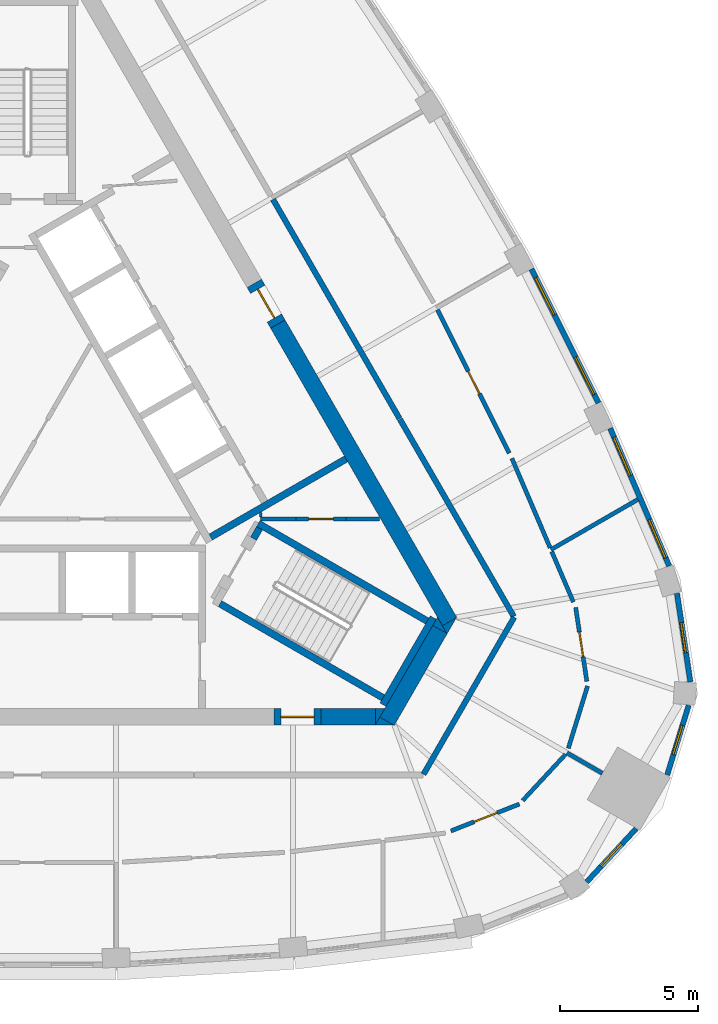
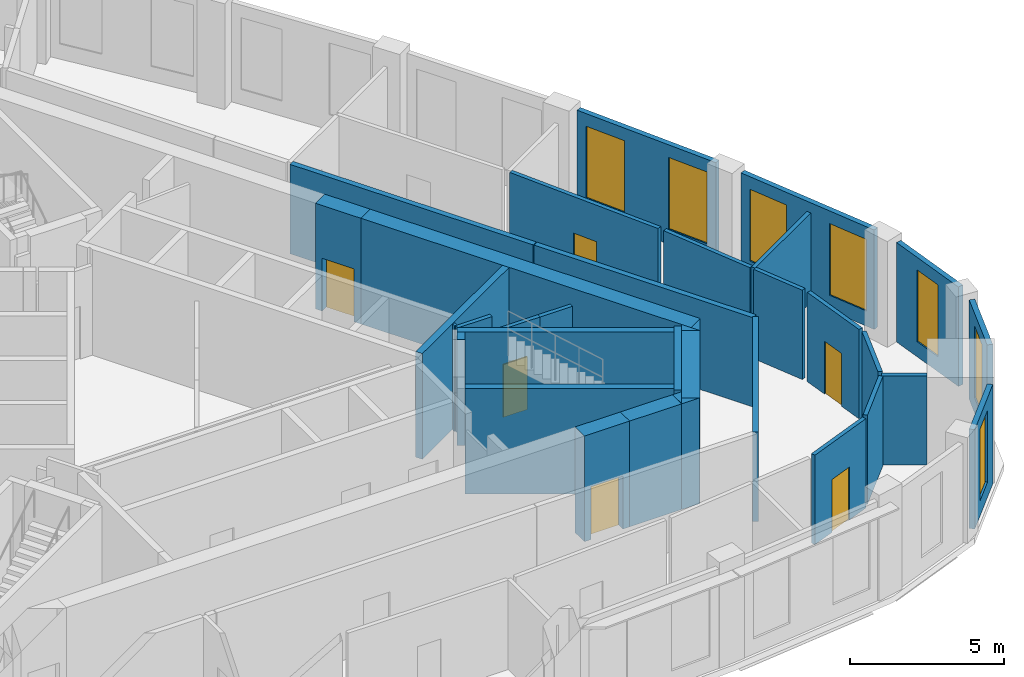
# One storey, part 7 of 10: 35 walls, 7 windows, 6 doors, 13 openings.
"""IFC4 building model written with IfcOpenShell, lengths in metres."""

from ifc_helpers import new_model, si_unit, direction, frame, frame_2d, origin, place, context, subcontext, project, spatial, polyline, rectangle, outline, extrude, material, layer, layer_set, type_object, element, fill, save


model = new_model("IFC4")

# Units and contexts
model_context = context("Model", 3, precision=1e-05, world=origin(), true_north=direction((0.0, 1.0)))
body_context = subcontext(model_context, "Body", "Model", "MODEL_VIEW")
ifc_project = project(units=[si_unit("LENGTHUNIT", "METRE"), si_unit("AREAUNIT", "SQUARE_METRE"), si_unit("VOLUMEUNIT", "CUBIC_METRE"), si_unit("PLANEANGLEUNIT", "RADIAN"), si_unit("MASSUNIT", "GRAM", prefix="KILO")], contexts=[model_context])

# Site, building, storey
site_placement = place(None, origin())
site = spatial("IfcSite", under=ifc_project, at=site_placement, CompositionType="ELEMENT")
building_placement = place(site_placement, origin())
building = spatial("IfcBuilding", under=site, at=building_placement, Name="Mestral Congress Tower", CompositionType="ELEMENT")
storey_placement = place(building_placement, frame((0.0, 0.0, 283.800048828125)))
storey = spatial("IfcBuildingStorey", under=building, at=storey_placement, Name="L66", CompositionType="ELEMENT", Elevation=283.800048828125)

# Wall
ifc_material_1 = material(Name="Fire-rated board partition")
ifc_layer_1 = layer(ifc_material_1, 0.14990234375)
ifc_layer_set_1 = layer_set([ifc_layer_1], Name="Fire-rated board partition")
wall_type_1 = type_object("IfcWallType", Name="Core partition 150", PredefinedType="PARTITIONING", material=ifc_layer_set_1)
wall_1_placement = place(storey_placement, frame((11.50048828125, -2.800537109375, 0.0), z_axis=(0.0, 0.0, 1.0), x_axis=(1.0, 0.0, 0.0)))
element("IfcWall", 1, at=wall_1_placement, inside=storey, type_object=wall_type_1, Name="L66 core wall", PredefinedType="PARTITIONING", context=body_context, shape_type="SweptSolid", body=[
    extrude(rectangle(XDim=1.22216796875, YDim=0.14990234375, at=frame_2d((0.611083984375, 0.0))), origin(), (0.0, 0.0, 1.0), 3.550048828125),
])

# Wall, opening, door
wall_2_placement = place(storey_placement, frame((9.7001953125, -2.800048828125, 0.0), z_axis=(0.0, 0.0, 1.0), x_axis=(1.0, 0.0, 0.0)))
wall_2 = element("IfcWall", 2, at=wall_2_placement, inside=storey, type_object=wall_type_1, Name="L66 door wall", PredefinedType="PARTITIONING", context=body_context, shape_type="SweptSolid", body=[
    extrude(rectangle(XDim=1.800048828125, YDim=0.14990234375, at=frame_2d((0.89990234375, 0.0))), origin(), (0.0, 0.0, 1.0), 3.550048828125),
])
opening_1_placement = place(wall_2_placement, frame((0.449951171875, 0.0, 0.0)))
opening_1 = element("IfcOpeningElement", 3, at=opening_1_placement, cuts=wall_2, Name="Opening SD-PX10", PredefinedType="OPENING", context=body_context, shape_type="SweptSolid", body=[
    extrude(rectangle(XDim=0.89990234375, YDim=2.10009765625, at=frame_2d((0.449951171875, 1.050048828125))), frame((0.0, 0.0849609375, 0.0), z_axis=(0.0, -1.0, 0.0), x_axis=(1.0, 0.0, 0.0)), (0.0, 0.0, 1.0), 0.169921875),
])
ifc_material_2 = material(Name="Fire-rated steel door set", Category="steel")
door_type_1 = type_object("IfcDoorType", Name="Core door SR 900x2100", OperationType="SINGLE_SWING_LEFT", PredefinedType="DOOR", material=ifc_material_2)
door_1_placement = place(opening_1_placement, origin())
door_1 = element("IfcDoor", 4, at=door_1_placement, inside=storey, type_object=door_type_1, Name="Door SD-PX10", OperationType="SINGLE_SWING_LEFT", OverallHeight=2.10009765625, OverallWidth=0.89990234375, PredefinedType="DOOR", context=body_context, shape_type="SweptSolid", body=[
    extrude(rectangle(XDim=0.89990234375, YDim=2.10009765625, at=frame_2d((0.449951171875, 1.050048828125))), frame((0.0, 0.02490234375, 0.0), z_axis=(0.0, -1.0, 0.0), x_axis=(1.0, 0.0, 0.0)), (0.0, 0.0, 1.0), 0.050048828125),
])
fill(opening_1, door_1)

# Walls
ifc_material_3 = material(Name="Concrete C60/75", Category="concrete")
ifc_layer_2 = layer(ifc_material_3, 0.60009765625)
ifc_layer_set_2 = layer_set([ifc_layer_2], Name="Concrete C60/75")
wall_type_2 = type_object("IfcWallType", Name="Core wall RC 600", PredefinedType="SOLIDWALL", material=ifc_layer_set_2)
wall_3_placement = place(storey_placement, frame((9.0419921875, 4.23876953125, 0.0), z_axis=(0.0, 0.0, 1.0), x_axis=(0.500005785455, -0.866022063525, 0.0)))
element("IfcWall", 5, at=wall_3_placement, inside=storey, type_object=wall_type_2, Name="L66 core wall", PredefinedType="SOLIDWALL", context=body_context, shape_type="SweptSolid", body=[
    extrude(rectangle(XDim=12.406494140625, YDim=0.60009765625, at=frame_2d((6.203125, 0.0))), origin(), (0.0, 0.0, 1.0), 4.199951171875),
])
placement = place(storey_placement, origin())
element("IfcWall", 6, at=placement, inside=storey, type_object=wall_type_2, Name="L66 core wall", PredefinedType="SOLIDWALL", context=body_context, shape_type="SweptSolid", body=[
    extrude(outline(polyline([(15.155517578125, -6.949951171875), (14.986572265625, -6.6572265625), (15.493408203125, -6.364501953125), (15.155517578125, -6.949951171875)])), origin(), (0.0, 0.0, 1.0), 4.199951171875),
])
wall_5_placement = place(storey_placement, frame((12.9873046875, -10.105712890625, 0.0), z_axis=(0.0, 0.0, 1.0), x_axis=(0.499950938802, 0.866053727428, 0.0)))
element("IfcWall", 7, at=wall_5_placement, inside=storey, type_object=wall_type_2, Name="L66 core wall", PredefinedType="SOLIDWALL", context=body_context, shape_type="SweptSolid", body=[
    extrude(rectangle(XDim=3.8232421875, YDim=0.60009765625, at=frame_2d((1.91162109375, 0.0))), origin(), (0.0, 0.0, 1.0), 4.199951171875),
])
element("IfcWall", 8, at=placement, inside=storey, type_object=wall_type_2, Name="L66 core wall", PredefinedType="SOLIDWALL", context=body_context, shape_type="SweptSolid", body=[
    extrude(outline(polyline([(12.726318359375, -9.957275390625), (13.2333984375, -10.25), (12.557373046875, -10.25), (12.726318359375, -9.957275390625)])), origin(), (0.0, 0.0, 1.0), 4.199951171875),
])
element("IfcWall", 9, at=placement, inside=storey, type_object=wall_type_2, Name="L66 core wall", PredefinedType="SOLIDWALL", context=body_context, shape_type="SweptSolid", body=[
    extrude(outline(polyline([(14.80908203125, -6.35009765625), (15.147216796875, -6.935791015625), (14.639892578125, -6.642822265625), (14.80908203125, -6.35009765625)])), origin(), (0.0, 0.0, 1.0), 4.199951171875),
])
wall_8_placement = place(storey_placement, frame((10.6044921875, -9.949951171875, 0.0), z_axis=(0.0, 0.0, 1.0), x_axis=(1.0, 0.0, 0.0)))
element("IfcWall", 10, at=wall_8_placement, inside=storey, type_object=wall_type_2, Name="L66 core wall", PredefinedType="SOLIDWALL", context=body_context, shape_type="SweptSolid", body=[
    extrude(rectangle(XDim=1.959228515625, YDim=0.60009765625, at=frame_2d((0.9794921875, 0.0))), origin(), (0.0, 0.0, 1.0), 4.199951171875),
])
element("IfcWall", 11, at=placement, inside=storey, type_object=wall_type_2, Name="L66 core wall", PredefinedType="SOLIDWALL", context=body_context, shape_type="SweptSolid", body=[
    extrude(outline(polyline([(12.90380859375, -9.64990234375), (12.56591796875, -10.235595703125), (12.56591796875, -9.64990234375), (12.90380859375, -9.64990234375)])), origin(), (0.0, 0.0, 1.0), 4.199951171875),
])

# Wall, opening, door
wall_10_placement = place(storey_placement, frame((10.6044921875, -9.949951171875, 0.0), z_axis=(0.0, 0.0, 1.0), x_axis=(-1.0, 0.0, 0.0)))
wall_10 = element("IfcWall", 12, at=wall_10_placement, inside=storey, type_object=wall_type_2, Name="L66 door wall", PredefinedType="SOLIDWALL", context=body_context, shape_type="SweptSolid", body=[
    extrude(rectangle(XDim=1.699951171875, YDim=0.60009765625, at=frame_2d((0.85009765625, 0.0))), origin(), (0.0, 0.0, 1.0), 4.199951171875),
])
opening_2_placement = place(wall_10_placement, frame((0.25, 0.0, 0.0)))
opening_2 = element("IfcOpeningElement", 13, at=opening_2_placement, cuts=wall_10, Name="Opening XD1", PredefinedType="OPENING", context=body_context, shape_type="SweptSolid", body=[
    extrude(rectangle(XDim=1.199951171875, YDim=2.10009765625, at=frame_2d((0.60009765625, 1.050048828125))), frame((0.0, 0.31005859375, 0.0), z_axis=(0.0, -1.0, 0.0), x_axis=(1.0, 0.0, 0.0)), (0.0, 0.0, 1.0), 0.6201171875),
])
door_type_2 = type_object("IfcDoorType", Name="Core door XD 1200x2100", OperationType="SINGLE_SWING_LEFT", PredefinedType="DOOR", material=ifc_material_2)
door_2_placement = place(opening_2_placement, origin())
door_2 = element("IfcDoor", 14, at=door_2_placement, inside=storey, type_object=door_type_2, Name="Door XD1", OperationType="SINGLE_SWING_LEFT", OverallHeight=2.10009765625, OverallWidth=1.199951171875, PredefinedType="DOOR", context=body_context, shape_type="SweptSolid", body=[
    extrude(rectangle(XDim=1.199951171875, YDim=2.10009765625, at=frame_2d((0.60009765625, 1.050048828125))), frame((0.0, 0.02490234375, 0.0), z_axis=(0.0, -1.0, 0.0), x_axis=(1.0, 0.0, 0.0)), (0.0, 0.0, 1.0), 0.050048828125),
])
fill(opening_2, door_2)

wall_11_placement = place(storey_placement, frame((8.19189453125, 5.711181640625, 0.0), z_axis=(0.0, 0.0, 1.0), x_axis=(0.500062241894, -0.865989465428, 0.0)))
wall_11 = element("IfcWall", 15, at=wall_11_placement, inside=storey, type_object=wall_type_2, Name="L66 door wall", PredefinedType="SOLIDWALL", context=body_context, shape_type="SweptSolid", body=[
    extrude(rectangle(XDim=1.699951171875, YDim=0.60009765625, at=frame_2d((0.85009765625, 0.0))), origin(), (0.0, 0.0, 1.0), 4.199951171875),
])
opening_3_placement = place(wall_11_placement, frame((0.25, 0.0, 0.0)))
opening_3 = element("IfcOpeningElement", 16, at=opening_3_placement, cuts=wall_11, Name="Opening XDL", PredefinedType="OPENING", context=body_context, shape_type="SweptSolid", body=[
    extrude(rectangle(XDim=1.199951171875, YDim=2.10009765625, at=frame_2d((0.60009765625, 1.050048828125))), frame((0.0, 0.31005859375, 0.0), z_axis=(0.0, -1.0, 0.0), x_axis=(1.0, 0.0, 0.0)), (0.0, 0.0, 1.0), 0.6201171875),
])
door_3_placement = place(opening_3_placement, origin())
door_3 = element("IfcDoor", 17, at=door_3_placement, inside=storey, type_object=door_type_2, Name="Door XDL", OperationType="SINGLE_SWING_LEFT", OverallHeight=2.10009765625, OverallWidth=1.199951171875, PredefinedType="DOOR", context=body_context, shape_type="SweptSolid", body=[
    extrude(rectangle(XDim=1.199951171875, YDim=2.10009765625, at=frame_2d((0.60009765625, 1.050048828125))), frame((0.0, 0.02490234375, 0.0), z_axis=(0.0, -1.0, 0.0), x_axis=(1.0, 0.0, 0.0)), (0.0, 0.0, 1.0), 0.050048828125),
])
fill(opening_3, door_3)

# Wall, opening, window
ifc_material_4 = material(Name="Precast concrete C40/50 with limestone facing", Category="masonry")
ifc_layer_3 = layer(ifc_material_4, 0.18994140625)
ifc_layer_set_3 = layer_set([ifc_layer_3], Name="Precast concrete C40/50 with limestone facing")
wall_type_3 = type_object("IfcWallType", Name="Facade stone wall 190", PredefinedType="SOLIDWALL", material=ifc_layer_set_3)
wall_12_placement = place(storey_placement, frame((20.197998046875, -15.91357421875, 0.0), z_axis=(0.0, 0.0, 1.0), x_axis=(0.680219354823, 0.733008614768, 0.0)))
wall_12 = element("IfcWall", 18, at=wall_12_placement, inside=storey, type_object=wall_type_3, Name="Facade wall K0-1", PredefinedType="SOLIDWALL", context=body_context, shape_type="SweptSolid", body=[
    extrude(rectangle(XDim=2.626953125, YDim=0.18994140625, at=frame_2d((1.3134765625, 0.0))), origin(), (0.0, 0.0, 1.0), 3.949951171875),
])
opening_4_placement = place(wall_12_placement, frame((0.763427734375, 0.0, 0.60009765625)))
opening_4 = element("IfcOpeningElement", 19, at=opening_4_placement, cuts=wall_12, Name="Opening W7", PredefinedType="OPENING", context=body_context, shape_type="SweptSolid", body=[
    extrude(rectangle(XDim=1.10009765625, YDim=2.85009765625, at=frame_2d((0.550048828125, 1.425048828125))), frame((0.0, 0.10498046875, 0.0), z_axis=(0.0, -1.0, 0.0), x_axis=(1.0, 0.0, 0.0)), (0.0, 0.0, 1.0), 0.2099609375),
])
ifc_material_5 = material(Name="Clear low-emissivity double glazing", Category="glass")
window_type_1 = type_object("IfcWindowType", Name="Facade punched window 1100 x 2850 sill 600", PartitioningType="SINGLE_PANEL", PredefinedType="WINDOW", material=ifc_material_5)
window_1_placement = place(opening_4_placement, origin())
window_1 = element("IfcWindow", 20, at=window_1_placement, inside=storey, type_object=window_type_1, Name="Window K0-1", OverallHeight=2.85009765625, OverallWidth=1.10009765625, PartitioningType="SINGLE_PANEL", PredefinedType="WINDOW", context=body_context, shape_type="SweptSolid", body=[
    extrude(rectangle(XDim=1.10009765625, YDim=2.85009765625, at=frame_2d((0.550048828125, 1.425048828125))), frame((0.0, 0.044921875, 0.0), z_axis=(0.0, -1.0, 0.0), x_axis=(1.0, 0.0, 0.0)), (0.0, 0.0, 1.0), 0.06005859375),
])
fill(opening_4, window_1)

wall_13_placement = place(storey_placement, frame((23.1064453125, -12.04541015625, 0.0), z_axis=(0.0, 0.0, 1.0), x_axis=(0.294706210429, 0.9555879078, 0.0)))
wall_13 = element("IfcWall", 21, at=wall_13_placement, inside=storey, type_object=wall_type_3, Name="Facade wall K0-2", PredefinedType="SOLIDWALL", context=body_context, shape_type="SweptSolid", body=[
    extrude(rectangle(XDim=2.626953125, YDim=0.18994140625, at=frame_2d((1.3134765625, 0.0))), origin(), (0.0, 0.0, 1.0), 3.949951171875),
])
opening_5_placement = place(wall_13_placement, frame((0.763427734375, 0.0, 0.60009765625)))
opening_5 = element("IfcOpeningElement", 22, at=opening_5_placement, cuts=wall_13, Name="Opening W7", PredefinedType="OPENING", context=body_context, shape_type="SweptSolid", body=[
    extrude(rectangle(XDim=1.10009765625, YDim=2.85009765625, at=frame_2d((0.550048828125, 1.425048828125))), frame((0.0, 0.10498046875, 0.0), z_axis=(0.0, -1.0, 0.0), x_axis=(1.0, 0.0, 0.0)), (0.0, 0.0, 1.0), 0.2099609375),
])
window_2_placement = place(opening_5_placement, origin())
window_2 = element("IfcWindow", 23, at=window_2_placement, inside=storey, type_object=window_type_1, Name="Window K0-2", OverallHeight=2.85009765625, OverallWidth=1.10009765625, PartitioningType="SINGLE_PANEL", PredefinedType="WINDOW", context=body_context, shape_type="SweptSolid", body=[
    extrude(rectangle(XDim=1.10009765625, YDim=2.85009765625, at=frame_2d((0.550048828125, 1.425048828125))), frame((0.0, 0.044921875, 0.0), z_axis=(0.0, -1.0, 0.0), x_axis=(1.0, 0.0, 0.0)), (0.0, 0.0, 1.0), 0.06005859375),
])
fill(opening_5, window_2)

wall_14_placement = place(storey_placement, frame((23.94384765625, -8.6884765625, 0.0), z_axis=(0.0, 0.0, 1.0), x_axis=(-0.149421055602, 0.988773658702, 0.0)))
wall_14 = element("IfcWall", 24, at=wall_14_placement, inside=storey, type_object=wall_type_3, Name="Facade wall K0-3", PredefinedType="SOLIDWALL", context=body_context, shape_type="SweptSolid", body=[
    extrude(rectangle(XDim=3.23681640625, YDim=0.18994140625, at=frame_2d((1.618408203125, 0.0))), origin(), (0.0, 0.0, 1.0), 3.949951171875),
])
opening_6_placement = place(wall_14_placement, frame((1.068359375, 0.0, 0.60009765625)))
opening_6 = element("IfcOpeningElement", 25, at=opening_6_placement, cuts=wall_14, Name="Opening W7", PredefinedType="OPENING", context=body_context, shape_type="SweptSolid", body=[
    extrude(rectangle(XDim=1.10009765625, YDim=2.85009765625, at=frame_2d((0.550048828125, 1.425048828125))), frame((0.0, 0.10498046875, 0.0), z_axis=(0.0, -1.0, 0.0), x_axis=(1.0, 0.0, 0.0)), (0.0, 0.0, 1.0), 0.2099609375),
])
window_3_placement = place(opening_6_placement, origin())
window_3 = element("IfcWindow", 26, at=window_3_placement, inside=storey, type_object=window_type_1, Name="Window K0-3", OverallHeight=2.85009765625, OverallWidth=1.10009765625, PartitioningType="SINGLE_PANEL", PredefinedType="WINDOW", context=body_context, shape_type="SweptSolid", body=[
    extrude(rectangle(XDim=1.10009765625, YDim=2.85009765625, at=frame_2d((0.550048828125, 1.425048828125))), frame((0.0, 0.044921875, 0.0), z_axis=(0.0, -1.0, 0.0), x_axis=(1.0, 0.0, 0.0)), (0.0, 0.0, 1.0), 0.06005859375),
])
fill(opening_6, window_3)

# Wall, openings, windows
wall_15_placement = place(storey_placement, frame((23.1787109375, -4.50048828125, 0.0), z_axis=(0.0, 0.0, 1.0), x_axis=(-0.393347848476, 0.919389726992, 0.0)))
wall_15 = element("IfcWall", 27, at=wall_15_placement, inside=storey, type_object=wall_type_3, Name="Facade wall F1-00", PredefinedType="SOLIDWALL", context=body_context, shape_type="SweptSolid", body=[
    extrude(rectangle(XDim=5.414794921875, YDim=0.18994140625, at=frame_2d((2.70751953125, 0.0))), origin(), (0.0, 0.0, 1.0), 3.949951171875),
])
opening_7_placement = place(wall_15_placement, frame((0.322509765625, 0.0, 0.60009765625)))
opening_7 = element("IfcOpeningElement", 28, at=opening_7_placement, cuts=wall_15, Name="Opening W6", PredefinedType="OPENING", context=body_context, shape_type="SweptSolid", body=[
    extrude(rectangle(XDim=1.5, YDim=2.85009765625, at=frame_2d((0.75, 1.425048828125))), frame((0.0, 0.10498046875, 0.0), z_axis=(0.0, -1.0, 0.0), x_axis=(1.0, 0.0, 0.0)), (0.0, 0.0, 1.0), 0.2099609375),
])
opening_8_placement = place(wall_15_placement, frame((3.5576171875, 0.0, 0.60009765625)))
opening_8 = element("IfcOpeningElement", 29, at=opening_8_placement, cuts=wall_15, Name="Opening W6", PredefinedType="OPENING", context=body_context, shape_type="SweptSolid", body=[
    extrude(rectangle(XDim=1.5, YDim=2.85009765625, at=frame_2d((0.75, 1.425048828125))), frame((0.0, 0.10498046875, 0.0), z_axis=(0.0, -1.0, 0.0), x_axis=(1.0, 0.0, 0.0)), (0.0, 0.0, 1.0), 0.2099609375),
])
window_type_2 = type_object("IfcWindowType", Name="Facade punched window 1500 x 2850 sill 600", PartitioningType="SINGLE_PANEL", PredefinedType="WINDOW", material=ifc_material_5)
window_4_placement = place(opening_7_placement, origin())
window_4 = element("IfcWindow", 30, at=window_4_placement, inside=storey, type_object=window_type_2, Name="Window F1-00a", OverallHeight=2.85009765625, OverallWidth=1.5, PartitioningType="SINGLE_PANEL", PredefinedType="WINDOW", context=body_context, shape_type="SweptSolid", body=[
    extrude(rectangle(XDim=1.5, YDim=2.85009765625, at=frame_2d((0.75, 1.425048828125))), frame((0.0, 0.044921875, 0.0), z_axis=(0.0, -1.0, 0.0), x_axis=(1.0, 0.0, 0.0)), (0.0, 0.0, 1.0), 0.06005859375),
])
fill(opening_7, window_4)
window_5_placement = place(opening_8_placement, origin())
window_5 = element("IfcWindow", 31, at=window_5_placement, inside=storey, type_object=window_type_2, Name="Window F1-00b", OverallHeight=2.85009765625, OverallWidth=1.5, PartitioningType="SINGLE_PANEL", PredefinedType="WINDOW", context=body_context, shape_type="SweptSolid", body=[
    extrude(rectangle(XDim=1.5, YDim=2.85009765625, at=frame_2d((0.75, 1.425048828125))), frame((0.0, 0.044921875, 0.0), z_axis=(0.0, -1.0, 0.0), x_axis=(1.0, 0.0, 0.0)), (0.0, 0.0, 1.0), 0.06005859375),
])
fill(opening_8, window_5)

wall_16_placement = place(storey_placement, frame((20.625, 1.39208984375, 0.0), z_axis=(0.0, 0.0, 1.0), x_axis=(-0.447484531401, 0.894291671747, 0.0)))
wall_16 = element("IfcWall", 32, at=wall_16_placement, inside=storey, type_object=wall_type_3, Name="Facade wall F1-01", PredefinedType="SOLIDWALL", context=body_context, shape_type="SweptSolid", body=[
    extrude(rectangle(XDim=5.40625, YDim=0.18994140625, at=frame_2d((2.703125, 0.0))), origin(), (0.0, 0.0, 1.0), 3.949951171875),
])
opening_9_placement = place(wall_16_placement, frame((0.346435546875, 0.0, 0.60009765625)))
opening_9 = element("IfcOpeningElement", 33, at=opening_9_placement, cuts=wall_16, Name="Opening W6", PredefinedType="OPENING", context=body_context, shape_type="SweptSolid", body=[
    extrude(rectangle(XDim=1.5, YDim=2.85009765625, at=frame_2d((0.75, 1.425048828125))), frame((0.0, 0.10498046875, 0.0), z_axis=(0.0, -1.0, 0.0), x_axis=(1.0, 0.0, 0.0)), (0.0, 0.0, 1.0), 0.2099609375),
])
opening_10_placement = place(wall_16_placement, frame((3.559326171875, 0.0, 0.60009765625)))
opening_10 = element("IfcOpeningElement", 34, at=opening_10_placement, cuts=wall_16, Name="Opening W6", PredefinedType="OPENING", context=body_context, shape_type="SweptSolid", body=[
    extrude(rectangle(XDim=1.5, YDim=2.85009765625, at=frame_2d((0.75, 1.425048828125))), frame((0.0, 0.10498046875, 0.0), z_axis=(0.0, -1.0, 0.0), x_axis=(1.0, 0.0, 0.0)), (0.0, 0.0, 1.0), 0.2099609375),
])
window_6_placement = place(opening_9_placement, origin())
window_6 = element("IfcWindow", 35, at=window_6_placement, inside=storey, type_object=window_type_2, Name="Window F1-01a", OverallHeight=2.85009765625, OverallWidth=1.5, PartitioningType="SINGLE_PANEL", PredefinedType="WINDOW", context=body_context, shape_type="SweptSolid", body=[
    extrude(rectangle(XDim=1.5, YDim=2.85009765625, at=frame_2d((0.75, 1.425048828125))), frame((0.0, 0.044921875, 0.0), z_axis=(0.0, -1.0, 0.0), x_axis=(1.0, 0.0, 0.0)), (0.0, 0.0, 1.0), 0.06005859375),
])
fill(opening_9, window_6)
window_7_placement = place(opening_10_placement, origin())
window_7 = element("IfcWindow", 36, at=window_7_placement, inside=storey, type_object=window_type_2, Name="Window F1-01b", OverallHeight=2.85009765625, OverallWidth=1.5, PartitioningType="SINGLE_PANEL", PredefinedType="WINDOW", context=body_context, shape_type="SweptSolid", body=[
    extrude(rectangle(XDim=1.5, YDim=2.85009765625, at=frame_2d((0.75, 1.425048828125))), frame((0.0, 0.044921875, 0.0), z_axis=(0.0, -1.0, 0.0), x_axis=(1.0, 0.0, 0.0)), (0.0, 0.0, 1.0), 0.06005859375),
])
fill(opening_10, window_7)

# Wall
ifc_material_6 = material(Name="Plasterboard partition on steel studs", Category="steel")
ifc_layer_4 = layer(ifc_material_6, 0.14990234375)
ifc_layer_set_4 = layer_set([ifc_layer_4], Name="Plasterboard partition on steel studs")
wall_type_4 = type_object("IfcWallType", Name="Office partition 150", PredefinedType="PARTITIONING", material=ifc_layer_set_4)
wall_17_placement = place(storey_placement, frame((19.485107421875, -11.249755859375, 0.0), z_axis=(0.0, 0.0, 1.0), x_axis=(0.866039857565, -0.499974964482, 0.0)))
element("IfcWall", 37, at=wall_17_placement, inside=storey, type_object=wall_type_4, Name="Partition", PredefinedType="PARTITIONING", context=body_context, shape_type="SweptSolid", body=[
    extrude(rectangle(XDim=1.478515625, YDim=0.14990234375, at=frame_2d((0.7392578125, 0.0))), origin(), (0.0, 0.0, 1.0), 3.550048828125),
])

# Wall, opening, door
wall_18_placement = place(storey_placement, frame((17.767333984375, -13.1005859375, 0.0), z_axis=(0.0, 0.0, 1.0), x_axis=(-0.930971361221, -0.365092213812, 0.0)))
wall_18 = element("IfcWall", 38, at=wall_18_placement, inside=storey, type_object=wall_type_4, Name="Partition", PredefinedType="PARTITIONING", context=body_context, shape_type="SweptSolid", body=[
    extrude(rectangle(XDim=2.65673828125, YDim=0.14990234375, at=frame_2d((1.328369140625, 0.0))), origin(), (0.0, 0.0, 1.0), 3.550048828125),
])
opening_11_placement = place(wall_18_placement, frame((0.856689453125, 0.0, 0.0)))
opening_11 = element("IfcOpeningElement", 39, at=opening_11_placement, cuts=wall_18, Name="Opening O12-004", PredefinedType="OPENING", context=body_context, shape_type="SweptSolid", body=[
    extrude(rectangle(XDim=0.89990234375, YDim=2.10009765625, at=frame_2d((0.449951171875, 1.050048828125))), frame((0.0, 0.0849609375, 0.0), z_axis=(0.0, -1.0, 0.0), x_axis=(1.0, 0.0, 0.0)), (0.0, 0.0, 1.0), 0.169921875),
])
ifc_material_7 = material(Name="Timber door set", Category="wood")
door_type_3 = type_object("IfcDoorType", Name="Office door 900x2100", OperationType="SINGLE_SWING_LEFT", PredefinedType="DOOR", material=ifc_material_7)
door_4_placement = place(opening_11_placement, origin())
door_4 = element("IfcDoor", 40, at=door_4_placement, inside=storey, type_object=door_type_3, Name="Door O12-004", OperationType="SINGLE_SWING_LEFT", OverallHeight=2.10009765625, OverallWidth=0.89990234375, PredefinedType="DOOR", context=body_context, shape_type="SweptSolid", body=[
    extrude(rectangle(XDim=0.89990234375, YDim=2.10009765625, at=frame_2d((0.449951171875, 1.050048828125))), frame((0.0, 0.02490234375, 0.0), z_axis=(0.0, -1.0, 0.0), x_axis=(1.0, 0.0, 0.0)), (0.0, 0.0, 1.0), 0.050048828125),
])
fill(opening_11, door_4)

# Walls
wall_19_placement = place(storey_placement, frame((17.885009765625, -12.97412109375, 0.0), z_axis=(0.0, 0.0, 1.0), x_axis=(0.680220611996, 0.733007448132, 0.0)))
element("IfcWall", 41, at=wall_19_placement, inside=storey, type_object=wall_type_4, Name="Partition", PredefinedType="PARTITIONING", context=body_context, shape_type="SweptSolid", body=[
    extrude(rectangle(XDim=2.275634765625, YDim=0.14990234375, at=frame_2d((1.1376953125, 0.0))), origin(), (0.0, 0.0, 1.0), 3.550048828125),
])
wall_20_placement = place(storey_placement, frame((18.906982421875, -3.90966796875, 0.0), z_axis=(0.0, 0.0, 1.0), x_axis=(0.866051035956, 0.499955601149, 0.0)))
element("IfcWall", 42, at=wall_20_placement, inside=storey, type_object=wall_type_4, Name="Partition", PredefinedType="PARTITIONING", context=body_context, shape_type="SweptSolid", body=[
    extrude(rectangle(XDim=3.625732421875, YDim=0.14990234375, at=frame_2d((1.81298828125, 0.0))), origin(), (0.0, 0.0, 1.0), 3.550048828125),
])
wall_21_placement = place(storey_placement, frame((19.5361328125, -11.084716796875, 0.0), z_axis=(0.0, 0.0, 1.0), x_axis=(0.294632751805, 0.955610559571, 0.0)))
element("IfcWall", 43, at=wall_21_placement, inside=storey, type_object=wall_type_4, Name="Partition", PredefinedType="PARTITIONING", context=body_context, shape_type="SweptSolid", body=[
    extrude(rectangle(XDim=2.3525390625, YDim=0.14990234375, at=frame_2d((1.17626953125, 0.0))), origin(), (0.0, 0.0, 1.0), 3.550048828125),
])

# Wall, opening, door
wall_22_placement = place(storey_placement, frame((19.80029296875, -5.997802734375, 0.0), z_axis=(0.0, 0.0, 1.0), x_axis=(0.149384554916, -0.988779173907, 0.0)))
wall_22 = element("IfcWall", 44, at=wall_22_placement, inside=storey, type_object=wall_type_4, Name="Partition", PredefinedType="PARTITIONING", context=body_context, shape_type="SweptSolid", body=[
    extrude(rectangle(XDim=2.6982421875, YDim=0.14990234375, at=frame_2d((1.34912109375, 0.0))), origin(), (0.0, 0.0, 1.0), 3.550048828125),
])
opening_12_placement = place(wall_22_placement, frame((0.898193359375, 0.0, 0.0)))
opening_12 = element("IfcOpeningElement", 45, at=opening_12_placement, cuts=wall_22, Name="Opening O12-005", PredefinedType="OPENING", context=body_context, shape_type="SweptSolid", body=[
    extrude(rectangle(XDim=0.89990234375, YDim=2.10009765625, at=frame_2d((0.449951171875, 1.050048828125))), frame((0.0, 0.0849609375, 0.0), z_axis=(0.0, -1.0, 0.0), x_axis=(1.0, 0.0, 0.0)), (0.0, 0.0, 1.0), 0.169921875),
])
door_5_placement = place(opening_12_placement, origin())
door_5 = element("IfcDoor", 46, at=door_5_placement, inside=storey, type_object=door_type_3, Name="Door O12-005", OperationType="SINGLE_SWING_LEFT", OverallHeight=2.10009765625, OverallWidth=0.89990234375, PredefinedType="DOOR", context=body_context, shape_type="SweptSolid", body=[
    extrude(rectangle(XDim=0.89990234375, YDim=2.10009765625, at=frame_2d((0.449951171875, 1.050048828125))), frame((0.0, 0.02490234375, 0.0), z_axis=(0.0, -1.0, 0.0), x_axis=(1.0, 0.0, 0.0)), (0.0, 0.0, 1.0), 0.050048828125),
])
fill(opening_12, door_5)

# Walls
wall_23_placement = place(storey_placement, frame((19.716064453125, -5.80078125, 0.0), z_axis=(0.0, 0.0, 1.0), x_axis=(-0.39333920544, 0.919393424745, 0.0)))
element("IfcWall", 47, at=wall_23_placement, inside=storey, type_object=wall_type_4, Name="Partition", PredefinedType="PARTITIONING", context=body_context, shape_type="SweptSolid", body=[
    extrude(rectangle(XDim=1.981201171875, YDim=0.14990234375, at=frame_2d((0.99072265625, 0.0))), origin(), (0.0, 0.0, 1.0), 3.550048828125),
])
wall_24_placement = place(storey_placement, frame((18.877197265625, -3.84033203125, 0.0), z_axis=(0.0, 0.0, 1.0), x_axis=(-0.393339985587, 0.919393090978, 0.0)))
element("IfcWall", 48, at=wall_24_placement, inside=storey, type_object=wall_type_4, Name="Partition", PredefinedType="PARTITIONING", context=body_context, shape_type="SweptSolid", body=[
    extrude(rectangle(XDim=3.510009765625, YDim=0.14990234375, at=frame_2d((1.7548828125, 0.0))), origin(), (0.0, 0.0, 1.0), 3.550048828125),
])

# Wall, opening, door
wall_25_placement = place(storey_placement, frame((14.810791015625, 4.75439453125, 0.0), z_axis=(0.0, 0.0, 1.0), x_axis=(0.447483524661, -0.894292175498, 0.0)))
wall_25 = element("IfcWall", 49, at=wall_25_placement, inside=storey, type_object=wall_type_4, Name="Partition", PredefinedType="PARTITIONING", context=body_context, shape_type="SweptSolid", body=[
    extrude(rectangle(XDim=5.7880859375, YDim=0.14990234375, at=frame_2d((2.89404296875, 0.0))), origin(), (0.0, 0.0, 1.0), 3.550048828125),
])
opening_13_placement = place(wall_25_placement, frame((2.488037109375, 0.0, 0.0)))
opening_13 = element("IfcOpeningElement", 50, at=opening_13_placement, cuts=wall_25, Name="Opening O12-006", PredefinedType="OPENING", context=body_context, shape_type="SweptSolid", body=[
    extrude(rectangle(XDim=0.89990234375, YDim=2.10009765625, at=frame_2d((0.449951171875, 1.050048828125))), frame((0.0, 0.0849609375, 0.0), z_axis=(0.0, -1.0, 0.0), x_axis=(1.0, 0.0, 0.0)), (0.0, 0.0, 1.0), 0.169921875),
])
door_6_placement = place(opening_13_placement, origin())
door_6 = element("IfcDoor", 51, at=door_6_placement, inside=storey, type_object=door_type_3, Name="Door O12-006", OperationType="SINGLE_SWING_RIGHT", OverallHeight=2.10009765625, OverallWidth=0.89990234375, PredefinedType="DOOR", context=body_context, shape_type="SweptSolid", body=[
    extrude(rectangle(XDim=0.89990234375, YDim=2.10009765625, at=frame_2d((0.449951171875, 1.050048828125))), frame((0.0, 0.02490234375, 0.0), z_axis=(0.0, -1.0, 0.0), x_axis=(1.0, 0.0, 0.0)), (0.0, 0.0, 1.0), 0.050048828125),
])
fill(opening_13, door_6)

# Walls
ifc_material_8 = material(Name="Dense masonry wall, plastered", Category="masonry")
ifc_layer_5 = layer(ifc_material_8, 0.199951171875)
ifc_layer_set_5 = layer_set([ifc_layer_5], Name="Dense masonry wall, plastered")
wall_type_5 = type_object("IfcWallType", Name="Office tenancy wall 200", PredefinedType="PARTITIONING", material=ifc_layer_set_5)
wall_26_placement = place(storey_placement, frame((13.435546875, 0.828857421875, 0.0), z_axis=(0.0, 0.0, 1.0), x_axis=(-0.499983789798, 0.866034762547, 0.0)))
element("IfcWall", 52, at=wall_26_placement, inside=storey, type_object=wall_type_5, Name="Tenancy wall", PredefinedType="PARTITIONING", context=body_context, shape_type="SweptSolid", body=[
    extrude(rectangle(XDim=9.137939453125, YDim=0.199951171875, at=frame_2d((4.56884765625, 0.0))), origin(), (0.0, 0.0, 1.0), 3.550048828125),
])
wall_27_placement = place(storey_placement, frame((14.304443359375, -12.02392578125, 0.0), z_axis=(0.0, 0.0, 1.0), x_axis=(0.500010613097, 0.866019276224, 0.0)))
element("IfcWall", 53, at=wall_27_placement, inside=storey, type_object=wall_type_5, Name="Tenancy wall", PredefinedType="PARTITIONING", context=body_context, shape_type="SweptSolid", body=[
    extrude(rectangle(XDim=6.551513671875, YDim=0.199951171875, at=frame_2d((3.27587890625, 0.0))), origin(), (0.0, 0.0, 1.0), 3.550048828125),
])
wall_28_placement = place(storey_placement, frame((17.565185546875, -6.323974609375, 0.0), z_axis=(0.0, 0.0, 1.0), x_axis=(-0.499977548053, 0.866038366034, 0.0)))
element("IfcWall", 54, at=wall_28_placement, inside=storey, type_object=wall_type_5, Name="Tenancy wall", PredefinedType="PARTITIONING", context=body_context, shape_type="SweptSolid", body=[
    extrude(rectangle(XDim=8.2294921875, YDim=0.199951171875, at=frame_2d((4.11474609375, 0.0))), origin(), (0.0, 0.0, 1.0), 3.550048828125),
])
ifc_layer_6 = layer(ifc_material_3, 0.25)
ifc_layer_set_6 = layer_set([ifc_layer_6], Name="Concrete C60/75")
wall_type_6 = type_object("IfcWallType", Name="Shaft wall RC 250", PredefinedType="SOLIDWALL", material=ifc_layer_set_6)
wall_29_placement = place(storey_placement, frame((11.507080078125, -0.630859375, 0.0), z_axis=(0.0, 0.0, 1.0), x_axis=(-0.866011447264, -0.500024172624, 0.0)))
element("IfcWall", 55, at=wall_29_placement, inside=storey, type_object=wall_type_6, Name="L66 core wall", PredefinedType="SOLIDWALL", context=body_context, shape_type="SweptSolid", body=[
    extrude(rectangle(XDim=5.650146484375, YDim=0.25, at=frame_2d((2.8251953125, 0.0))), origin(), (0.0, 0.0, 1.0), 4.199951171875),
])
ifc_layer_7 = layer(ifc_material_3, 0.14990234375)
ifc_layer_set_7 = layer_set([ifc_layer_7], Name="Concrete C60/75")
wall_type_7 = type_object("IfcWallType", Name="Shaft wall RC 250 door-wall 150", PredefinedType="SOLIDWALL", material=ifc_layer_set_7)
wall_30_placement = place(storey_placement, frame((8.412109375, -2.800048828125, 0.0), z_axis=(0.0, 0.0, 1.0), x_axis=(1.0, 0.0, 0.0)))
element("IfcWall", 56, at=wall_30_placement, inside=storey, type_object=wall_type_7, Name="L66 core wall", PredefinedType="PARTITIONING", context=body_context, shape_type="SweptSolid", body=[
    extrude(rectangle(XDim=1.2880859375, YDim=0.14990234375, at=frame_2d((0.64404296875, 0.0))), origin(), (0.0, 0.0, 1.0), 4.199951171875),
])
wall_31_placement = place(storey_placement, frame((8.3701171875, -2.64990234375, 0.0), z_axis=(0.0, 0.0, 1.0), x_axis=(1.0, 0.0, 0.0)))
element("IfcWall", 57, at=wall_31_placement, inside=storey, type_object=wall_type_7, Name="L66 core wall", PredefinedType="PARTITIONING", context=body_context, shape_type="SweptSolid", body=[
    extrude(rectangle(XDim=0.10791015625, YDim=0.14990234375, at=frame_2d((0.053955078125, 0.0))), origin(), (0.0, 0.0, 1.0), 4.199951171875),
])
ifc_layer_8 = layer(ifc_material_3, 0.25)
ifc_layer_set_8 = layer_set([ifc_layer_8], Name="Concrete C60/75")
wall_type_8 = type_object("IfcWallType", Name="Stair wall RC 250", PredefinedType="SOLIDWALL", material=ifc_layer_set_8)
wall_32_placement = place(storey_placement, frame((12.839599609375, -9.510986328125, 0.0), z_axis=(0.0, 0.0, 1.0), x_axis=(0.500048121057, 0.865997619297, 0.0)))
element("IfcWall", 58, at=wall_32_placement, inside=storey, type_object=wall_type_8, Name="L66 core wall", PredefinedType="SOLIDWALL", context=body_context, shape_type="SweptSolid", body=[
    extrude(rectangle(XDim=3.634033203125, YDim=0.25, at=frame_2d((1.81689453125, 0.0))), origin(), (0.0, 0.0, 1.0), 4.199951171875),
])
wall_33_placement = place(storey_placement, frame((12.83984375, -9.2607421875, 0.0), z_axis=(0.0, 0.0, 1.0), x_axis=(-0.866013990052, 0.500019768644, 0.0)))
element("IfcWall", 59, at=wall_33_placement, inside=storey, type_object=wall_type_8, Name="L66 core wall", PredefinedType="SOLIDWALL", context=body_context, shape_type="SweptSolid", body=[
    extrude(rectangle(XDim=6.800048828125, YDim=0.25, at=frame_2d((3.39990234375, 0.0))), origin(), (0.0, 0.0, 1.0), 4.199951171875),
])
wall_34_placement = place(storey_placement, frame((8.33447265625, -2.96435546875, 0.0), z_axis=(0.0, 0.0, 1.0), x_axis=(0.866016039709, -0.500016218704, 0.0)))
element("IfcWall", 60, at=wall_34_placement, inside=storey, type_object=wall_type_8, Name="L66 core wall", PredefinedType="SOLIDWALL", context=body_context, shape_type="SweptSolid", body=[
    extrude(rectangle(XDim=7.050048828125, YDim=0.25, at=frame_2d((3.52490234375, 0.0))), origin(), (0.0, 0.0, 1.0), 4.199951171875),
])
wall_35_placement = place(storey_placement, frame((8.162841796875, -3.51123046875, 0.0), z_axis=(0.0, 0.0, 1.0), x_axis=(0.500127794843, 0.865951608824, 0.0)))
element("IfcWall", 61, at=wall_35_placement, inside=storey, type_object=wall_type_8, Name="L66 core wall", PredefinedType="SOLIDWALL", context=body_context, shape_type="SweptSolid", body=[
    extrude(rectangle(XDim=0.4345703125, YDim=0.25, at=frame_2d((0.21728515625, 0.0))), origin(), (0.0, 0.0, 1.0), 4.199951171875),
])

save(model, "model.ifc")
